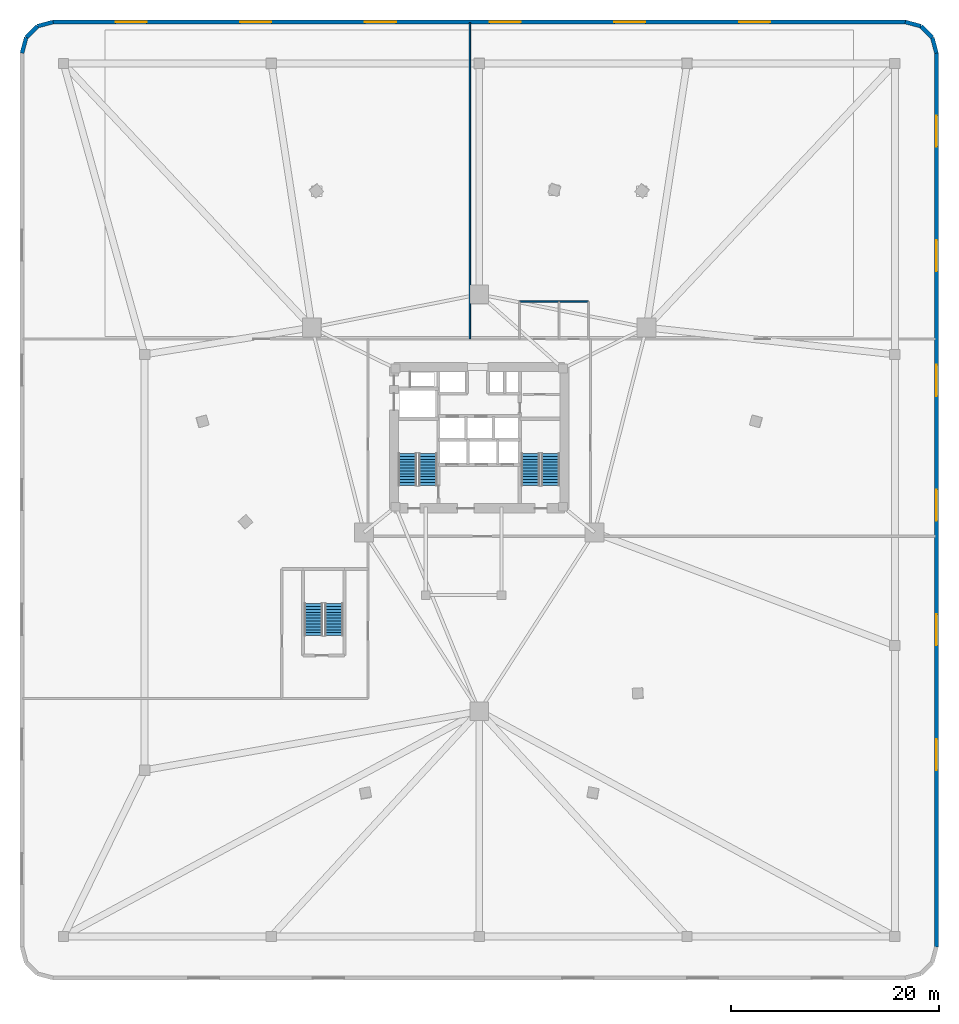
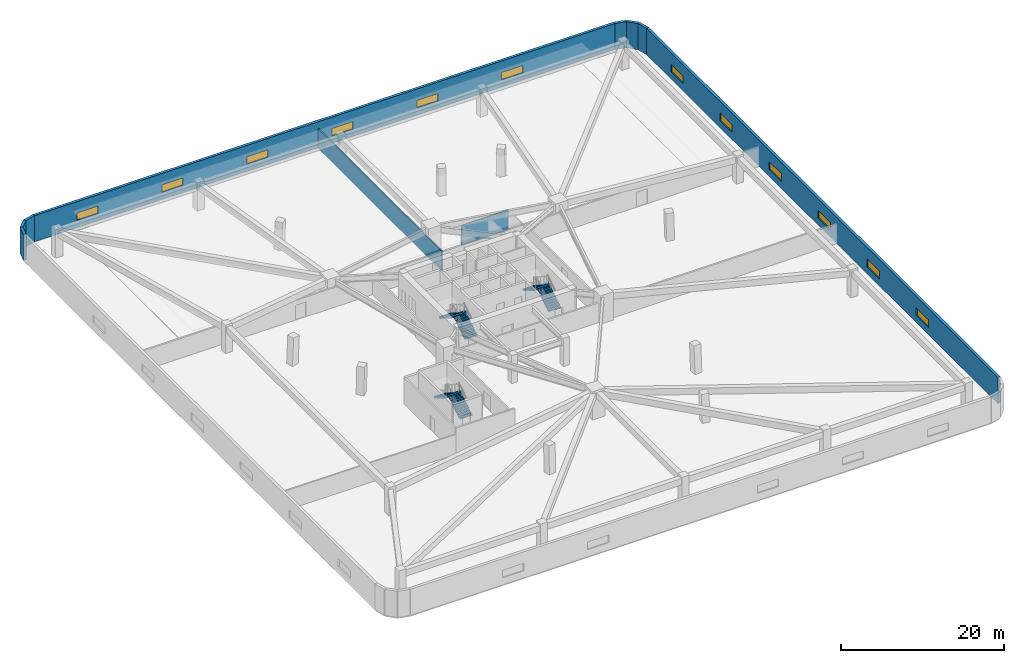
# One storey, part 8 of 10: 12 windows, 10 walls, 6 stair flights, 12 openings, 3 elements without a shape of their own.
"""IFC4 building model written with IfcOpenShell, lengths in metres."""

from ifc_helpers import new_model, si_unit, direction, frame, frame_2d, origin, place, context, subcontext, project, spatial, polyline, rectangle, outline, extrude, material, layer, layer_set, type_object, element, fill, aggregate, save


model = new_model("IFC4")

# Units and contexts
model_context = context("Model", 3, precision=1e-05, world=origin(), true_north=direction((0.0, 1.0)))
body_context = subcontext(model_context, "Body", "Model", "MODEL_VIEW")
ifc_project = project(units=[si_unit("LENGTHUNIT", "METRE"), si_unit("AREAUNIT", "SQUARE_METRE"), si_unit("VOLUMEUNIT", "CUBIC_METRE"), si_unit("PLANEANGLEUNIT", "RADIAN"), si_unit("MASSUNIT", "GRAM", prefix="KILO")], contexts=[model_context])

# Site, building, storey
site_placement = place(None, origin())
site = spatial("IfcSite", under=ifc_project, at=site_placement, CompositionType="ELEMENT")
building_placement = place(site_placement, origin())
building = spatial("IfcBuilding", under=site, at=building_placement, Name="Talyreon Biosciences Tower", CompositionType="ELEMENT")
storey_placement = place(building_placement, frame((0.0, 0.0, 14.39990234375)))
storey = spatial("IfcBuildingStorey", under=building, at=storey_placement, Name="L03", CompositionType="ELEMENT", Elevation=14.39990234375)

# Walls
ifc_material_1 = material(Name="Gypsum acoustic stud partition", Category="gypsum")
ifc_layer_1 = layer(ifc_material_1, 0.159912109375)
ifc_layer_set_1 = layer_set([ifc_layer_1], Name="Gypsum acoustic stud partition")
wall_type_1 = type_object("IfcWallType", Name="LabSeparationPartition_160", PredefinedType="PARTITIONING", material=ifc_layer_set_1)
wall_1_placement = place(storey_placement, frame((65.10009765625, 77.5, 0.0), z_axis=(0.0, 0.0, 1.0), x_axis=(0.0, 1.0, 0.0)))
element("IfcWall", 1, at=wall_1_placement, inside=storey, type_object=wall_type_1, Name="L03 Interior Wall IW-L03-NDIV", PredefinedType="PARTITIONING", context=body_context, shape_type="SweptSolid", body=[
    extrude(rectangle(XDim=30.4150390625, YDim=0.159912109375, at=frame_2d((15.20751953125, 0.0))), origin(), (0.0, 0.0, 1.0), 2.93017578125),
])
ifc_material_2 = material(Name="Precast concrete C45/55", Category="concrete")
ifc_layer_2 = layer(ifc_material_2, 0.3798828125)
ifc_layer_set_2 = layer_set([ifc_layer_2], Name="Precast concrete C45/55")
wall_type_2 = type_object("IfcWallType", Name="PrecastConcretePodiumWall_380", PredefinedType="STANDARD", material=ifc_layer_set_2)
for number, where, z_axis, x_axis, name in (
    (2, (22.0, 105.0, 0.0), (0.0, 0.0, 1.0), (0.258777996848, 0.965936824201, 0.0), "L03 Podium Concrete Frame Wall 06"),
    (3, (22.40185546875, 106.5, 0.0), (0.0, 0.0, 1.0), (0.707106781187, 0.707106781187, 0.0), "L03 Podium Concrete Frame Wall 07"),
    (4, (23.5, 107.59814453125, 0.0), (0.0, 0.0, 1.0), (0.965936824201, 0.258777996848, 0.0), "L03 Podium Concrete Frame Wall 08"),
):
    element("IfcWall", number, at=place(storey_placement, frame(where, z_axis=z_axis, x_axis=x_axis)), inside=storey, type_object=wall_type_2, Name=name, PredefinedType="STANDARD", context=body_context, shape_type="SweptSolid", body=[
        extrude(rectangle(XDim=1.552978515625, YDim=0.3798828125, at=frame_2d((0.7763671875, 0.0))), origin(), (0.0, 0.0, 1.0), 3.900146484375),
    ])

# Wall, openings, windows
wall_2_placement = place(storey_placement, frame((25.0, 108.0, 0.0), z_axis=(0.0, 0.0, 1.0), x_axis=(1.0, 0.0, 0.0)))
wall_2 = element("IfcWall", 5, at=wall_2_placement, inside=storey, type_object=wall_type_2, Name="L03 Podium Concrete Frame Wall 09", PredefinedType="STANDARD", context=body_context, shape_type="SweptSolid", body=[
    extrude(rectangle(XDim=82.0, YDim=0.3798828125, at=frame_2d((41.0, 0.0))), origin(), (0.0, 0.0, 1.0), 3.900146484375),
])
opening_1_placement = place(wall_2_placement, frame((6.0, 0.0, 1.050048828125)))
opening_1 = element("IfcOpeningElement", 6, at=opening_1_placement, cuts=wall_2, Name="Opening W03", PredefinedType="OPENING", context=body_context, shape_type="SweptSolid", body=[
    extrude(rectangle(XDim=3.0, YDim=1.14990234375, at=frame_2d((1.5, 0.574951171875))), frame((0.0, 0.199951171875, 0.0), z_axis=(0.0, -1.0, 0.0), x_axis=(1.0, 0.0, 0.0)), (0.0, 0.0, 1.0), 0.39990234375),
])
opening_2_placement = place(wall_2_placement, frame((18.0, 0.0, 1.050048828125)))
opening_2 = element("IfcOpeningElement", 7, at=opening_2_placement, cuts=wall_2, Name="Opening W03", PredefinedType="OPENING", context=body_context, shape_type="SweptSolid", body=[
    extrude(rectangle(XDim=3.0, YDim=1.14990234375, at=frame_2d((1.5, 0.574951171875))), frame((0.0, 0.199951171875, 0.0), z_axis=(0.0, -1.0, 0.0), x_axis=(1.0, 0.0, 0.0)), (0.0, 0.0, 1.0), 0.39990234375),
])
opening_3_placement = place(wall_2_placement, frame((30.0, 0.0, 1.050048828125)))
opening_3 = element("IfcOpeningElement", 8, at=opening_3_placement, cuts=wall_2, Name="Opening W03", PredefinedType="OPENING", context=body_context, shape_type="SweptSolid", body=[
    extrude(rectangle(XDim=3.0, YDim=1.14990234375, at=frame_2d((1.5, 0.574951171875))), frame((0.0, 0.199951171875, 0.0), z_axis=(0.0, -1.0, 0.0), x_axis=(1.0, 0.0, 0.0)), (0.0, 0.0, 1.0), 0.39990234375),
])
opening_4_placement = place(wall_2_placement, frame((42.0, 0.0, 1.050048828125)))
opening_4 = element("IfcOpeningElement", 9, at=opening_4_placement, cuts=wall_2, Name="Opening W03", PredefinedType="OPENING", context=body_context, shape_type="SweptSolid", body=[
    extrude(rectangle(XDim=3.0, YDim=1.14990234375, at=frame_2d((1.5, 0.574951171875))), frame((0.0, 0.199951171875, 0.0), z_axis=(0.0, -1.0, 0.0), x_axis=(1.0, 0.0, 0.0)), (0.0, 0.0, 1.0), 0.39990234375),
])
opening_5_placement = place(wall_2_placement, frame((54.0, 0.0, 1.050048828125)))
opening_5 = element("IfcOpeningElement", 10, at=opening_5_placement, cuts=wall_2, Name="Opening W03", PredefinedType="OPENING", context=body_context, shape_type="SweptSolid", body=[
    extrude(rectangle(XDim=3.0, YDim=1.14990234375, at=frame_2d((1.5, 0.574951171875))), frame((0.0, 0.199951171875, 0.0), z_axis=(0.0, -1.0, 0.0), x_axis=(1.0, 0.0, 0.0)), (0.0, 0.0, 1.0), 0.39990234375),
])
opening_6_placement = place(wall_2_placement, frame((66.0, 0.0, 1.050048828125)))
opening_6 = element("IfcOpeningElement", 11, at=opening_6_placement, cuts=wall_2, Name="Opening W03", PredefinedType="OPENING", context=body_context, shape_type="SweptSolid", body=[
    extrude(rectangle(XDim=3.0, YDim=1.14990234375, at=frame_2d((1.5, 0.574951171875))), frame((0.0, 0.199951171875, 0.0), z_axis=(0.0, -1.0, 0.0), x_axis=(1.0, 0.0, 0.0)), (0.0, 0.0, 1.0), 0.39990234375),
])
ifc_material_3 = material(Name="Thermally broken triple low-E aluminium window", Category="aluminium")
window_type = type_object("IfcWindowType", Name="PodiumClerestoryWindow_3000x1150", PartitioningType="TRIPLE_PANEL_VERTICAL", PredefinedType="WINDOW", material=ifc_material_3)
window_1_placement = place(opening_1_placement, origin())
window_1 = element("IfcWindow", 12, at=window_1_placement, inside=storey, type_object=window_type, Name="L03 Podium Facade Window 09.01", OverallHeight=1.14990234375, OverallWidth=3.0, PartitioningType="SINGLE_PANEL", PredefinedType="WINDOW", context=body_context, shape_type="SweptSolid", body=[
    extrude(rectangle(XDim=3.0, YDim=1.14990234375, at=frame_2d((1.5, 0.574951171875))), frame((0.0, 0.030029296875, 0.0), z_axis=(0.0, -1.0, 0.0), x_axis=(1.0, 0.0, 0.0)), (0.0, 0.0, 1.0), 0.06005859375),
])
fill(opening_1, window_1)
window_2_placement = place(opening_2_placement, origin())
window_2 = element("IfcWindow", 13, at=window_2_placement, inside=storey, type_object=window_type, Name="L03 Podium Facade Window 09.02", OverallHeight=1.14990234375, OverallWidth=3.0, PartitioningType="SINGLE_PANEL", PredefinedType="WINDOW", context=body_context, shape_type="SweptSolid", body=[
    extrude(rectangle(XDim=3.0, YDim=1.14990234375, at=frame_2d((1.5, 0.574951171875))), frame((0.0, 0.030029296875, 0.0), z_axis=(0.0, -1.0, 0.0), x_axis=(1.0, 0.0, 0.0)), (0.0, 0.0, 1.0), 0.06005859375),
])
fill(opening_2, window_2)
window_3_placement = place(opening_3_placement, origin())
window_3 = element("IfcWindow", 14, at=window_3_placement, inside=storey, type_object=window_type, Name="L03 Podium Facade Window 09.03", OverallHeight=1.14990234375, OverallWidth=3.0, PartitioningType="SINGLE_PANEL", PredefinedType="WINDOW", context=body_context, shape_type="SweptSolid", body=[
    extrude(rectangle(XDim=3.0, YDim=1.14990234375, at=frame_2d((1.5, 0.574951171875))), frame((0.0, 0.030029296875, 0.0), z_axis=(0.0, -1.0, 0.0), x_axis=(1.0, 0.0, 0.0)), (0.0, 0.0, 1.0), 0.06005859375),
])
fill(opening_3, window_3)
window_4_placement = place(opening_4_placement, origin())
window_4 = element("IfcWindow", 15, at=window_4_placement, inside=storey, type_object=window_type, Name="L03 Podium Facade Window 09.04", OverallHeight=1.14990234375, OverallWidth=3.0, PartitioningType="SINGLE_PANEL", PredefinedType="WINDOW", context=body_context, shape_type="SweptSolid", body=[
    extrude(rectangle(XDim=3.0, YDim=1.14990234375, at=frame_2d((1.5, 0.574951171875))), frame((0.0, 0.030029296875, 0.0), z_axis=(0.0, -1.0, 0.0), x_axis=(1.0, 0.0, 0.0)), (0.0, 0.0, 1.0), 0.06005859375),
])
fill(opening_4, window_4)
window_5_placement = place(opening_5_placement, origin())
window_5 = element("IfcWindow", 16, at=window_5_placement, inside=storey, type_object=window_type, Name="L03 Podium Facade Window 09.05", OverallHeight=1.14990234375, OverallWidth=3.0, PartitioningType="SINGLE_PANEL", PredefinedType="WINDOW", context=body_context, shape_type="SweptSolid", body=[
    extrude(rectangle(XDim=3.0, YDim=1.14990234375, at=frame_2d((1.5, 0.574951171875))), frame((0.0, 0.030029296875, 0.0), z_axis=(0.0, -1.0, 0.0), x_axis=(1.0, 0.0, 0.0)), (0.0, 0.0, 1.0), 0.06005859375),
])
fill(opening_5, window_5)
window_6_placement = place(opening_6_placement, origin())
window_6 = element("IfcWindow", 17, at=window_6_placement, inside=storey, type_object=window_type, Name="L03 Podium Facade Window 09.06", OverallHeight=1.14990234375, OverallWidth=3.0, PartitioningType="SINGLE_PANEL", PredefinedType="WINDOW", context=body_context, shape_type="SweptSolid", body=[
    extrude(rectangle(XDim=3.0, YDim=1.14990234375, at=frame_2d((1.5, 0.574951171875))), frame((0.0, 0.030029296875, 0.0), z_axis=(0.0, -1.0, 0.0), x_axis=(1.0, 0.0, 0.0)), (0.0, 0.0, 1.0), 0.06005859375),
])
fill(opening_6, window_6)

# Walls
for number, where, z_axis, x_axis, name in (
    (18, (107.0, 108.0, 0.0), (0.0, 0.0, 1.0), (0.965936824201, -0.258777996848, 0.0), "L03 Podium Concrete Frame Wall 10"),
    (19, (108.5, 107.59814453125, 0.0), (0.0, 0.0, 1.0), (0.707106781187, -0.707106781187, 0.0), "L03 Podium Concrete Frame Wall 11"),
    (20, (109.59814453125, 106.5, 0.0), (0.0, 0.0, 1.0), (0.258777996848, -0.965936824201, 0.0), "L03 Podium Concrete Frame Wall 12"),
):
    element("IfcWall", number, at=place(storey_placement, frame(where, z_axis=z_axis, x_axis=x_axis)), inside=storey, type_object=wall_type_2, Name=name, PredefinedType="STANDARD", context=body_context, shape_type="SweptSolid", body=[
        extrude(rectangle(XDim=1.552978515625, YDim=0.3798828125, at=frame_2d((0.7763671875, 0.0))), origin(), (0.0, 0.0, 1.0), 3.900146484375),
    ])

# Wall, openings, windows
wall_3_placement = place(storey_placement, frame((110.0, 105.0, 0.0), z_axis=(0.0, 0.0, 1.0), x_axis=(0.0, -1.0, 0.0)))
wall_3 = element("IfcWall", 21, at=wall_3_placement, inside=storey, type_object=wall_type_2, Name="L03 Podium Concrete Frame Wall 13", PredefinedType="STANDARD", context=body_context, shape_type="SweptSolid", body=[
    extrude(rectangle(XDim=86.0, YDim=0.3798828125, at=frame_2d((43.0, 0.0))), origin(), (0.0, 0.0, 1.0), 3.900146484375),
])
opening_7_placement = place(wall_3_placement, frame((6.0, 0.0, 1.050048828125)))
opening_7 = element("IfcOpeningElement", 22, at=opening_7_placement, cuts=wall_3, Name="Opening W03", PredefinedType="OPENING", context=body_context, shape_type="SweptSolid", body=[
    extrude(rectangle(XDim=3.0, YDim=1.14990234375, at=frame_2d((1.5, 0.574951171875))), frame((0.0, 0.199951171875, 0.0), z_axis=(0.0, -1.0, 0.0), x_axis=(1.0, 0.0, 0.0)), (0.0, 0.0, 1.0), 0.39990234375),
])
opening_8_placement = place(wall_3_placement, frame((18.0, 0.0, 1.050048828125)))
opening_8 = element("IfcOpeningElement", 23, at=opening_8_placement, cuts=wall_3, Name="Opening W03", PredefinedType="OPENING", context=body_context, shape_type="SweptSolid", body=[
    extrude(rectangle(XDim=3.0, YDim=1.14990234375, at=frame_2d((1.5, 0.574951171875))), frame((0.0, 0.199951171875, 0.0), z_axis=(0.0, -1.0, 0.0), x_axis=(1.0, 0.0, 0.0)), (0.0, 0.0, 1.0), 0.39990234375),
])
opening_9_placement = place(wall_3_placement, frame((30.0, 0.0, 1.050048828125)))
opening_9 = element("IfcOpeningElement", 24, at=opening_9_placement, cuts=wall_3, Name="Opening W03", PredefinedType="OPENING", context=body_context, shape_type="SweptSolid", body=[
    extrude(rectangle(XDim=3.0, YDim=1.14990234375, at=frame_2d((1.5, 0.574951171875))), frame((0.0, 0.199951171875, 0.0), z_axis=(0.0, -1.0, 0.0), x_axis=(1.0, 0.0, 0.0)), (0.0, 0.0, 1.0), 0.39990234375),
])
opening_10_placement = place(wall_3_placement, frame((42.0, 0.0, 1.050048828125)))
opening_10 = element("IfcOpeningElement", 25, at=opening_10_placement, cuts=wall_3, Name="Opening W03", PredefinedType="OPENING", context=body_context, shape_type="SweptSolid", body=[
    extrude(rectangle(XDim=3.0, YDim=1.14990234375, at=frame_2d((1.5, 0.574951171875))), frame((0.0, 0.199951171875, 0.0), z_axis=(0.0, -1.0, 0.0), x_axis=(1.0, 0.0, 0.0)), (0.0, 0.0, 1.0), 0.39990234375),
])
opening_11_placement = place(wall_3_placement, frame((54.0, 0.0, 1.050048828125)))
opening_11 = element("IfcOpeningElement", 26, at=opening_11_placement, cuts=wall_3, Name="Opening W03", PredefinedType="OPENING", context=body_context, shape_type="SweptSolid", body=[
    extrude(rectangle(XDim=3.0, YDim=1.14990234375, at=frame_2d((1.5, 0.574951171875))), frame((0.0, 0.199951171875, 0.0), z_axis=(0.0, -1.0, 0.0), x_axis=(1.0, 0.0, 0.0)), (0.0, 0.0, 1.0), 0.39990234375),
])
opening_12_placement = place(wall_3_placement, frame((66.0, 0.0, 1.050048828125)))
opening_12 = element("IfcOpeningElement", 27, at=opening_12_placement, cuts=wall_3, Name="Opening W03", PredefinedType="OPENING", context=body_context, shape_type="SweptSolid", body=[
    extrude(rectangle(XDim=3.0, YDim=1.14990234375, at=frame_2d((1.5, 0.574951171875))), frame((0.0, 0.199951171875, 0.0), z_axis=(0.0, -1.0, 0.0), x_axis=(1.0, 0.0, 0.0)), (0.0, 0.0, 1.0), 0.39990234375),
])
window_7_placement = place(opening_7_placement, origin())
window_7 = element("IfcWindow", 28, at=window_7_placement, inside=storey, type_object=window_type, Name="L03 Podium Facade Window 13.01", OverallHeight=1.14990234375, OverallWidth=3.0, PartitioningType="SINGLE_PANEL", PredefinedType="WINDOW", context=body_context, shape_type="SweptSolid", body=[
    extrude(rectangle(XDim=3.0, YDim=1.14990234375, at=frame_2d((1.5, 0.574951171875))), frame((0.0, 0.030029296875, 0.0), z_axis=(0.0, -1.0, 0.0), x_axis=(1.0, 0.0, 0.0)), (0.0, 0.0, 1.0), 0.06005859375),
])
fill(opening_7, window_7)
window_8_placement = place(opening_8_placement, origin())
window_8 = element("IfcWindow", 29, at=window_8_placement, inside=storey, type_object=window_type, Name="L03 Podium Facade Window 13.02", OverallHeight=1.14990234375, OverallWidth=3.0, PartitioningType="SINGLE_PANEL", PredefinedType="WINDOW", context=body_context, shape_type="SweptSolid", body=[
    extrude(rectangle(XDim=3.0, YDim=1.14990234375, at=frame_2d((1.5, 0.574951171875))), frame((0.0, 0.030029296875, 0.0), z_axis=(0.0, -1.0, 0.0), x_axis=(1.0, 0.0, 0.0)), (0.0, 0.0, 1.0), 0.06005859375),
])
fill(opening_8, window_8)
window_9_placement = place(opening_9_placement, origin())
window_9 = element("IfcWindow", 30, at=window_9_placement, inside=storey, type_object=window_type, Name="L03 Podium Facade Window 13.03", OverallHeight=1.14990234375, OverallWidth=3.0, PartitioningType="SINGLE_PANEL", PredefinedType="WINDOW", context=body_context, shape_type="SweptSolid", body=[
    extrude(rectangle(XDim=3.0, YDim=1.14990234375, at=frame_2d((1.5, 0.574951171875))), frame((0.0, 0.030029296875, 0.0), z_axis=(0.0, -1.0, 0.0), x_axis=(1.0, 0.0, 0.0)), (0.0, 0.0, 1.0), 0.06005859375),
])
fill(opening_9, window_9)
window_10_placement = place(opening_10_placement, origin())
window_10 = element("IfcWindow", 31, at=window_10_placement, inside=storey, type_object=window_type, Name="L03 Podium Facade Window 13.04", OverallHeight=1.14990234375, OverallWidth=3.0, PartitioningType="SINGLE_PANEL", PredefinedType="WINDOW", context=body_context, shape_type="SweptSolid", body=[
    extrude(rectangle(XDim=3.0, YDim=1.14990234375, at=frame_2d((1.5, 0.574951171875))), frame((0.0, 0.030029296875, 0.0), z_axis=(0.0, -1.0, 0.0), x_axis=(1.0, 0.0, 0.0)), (0.0, 0.0, 1.0), 0.06005859375),
])
fill(opening_10, window_10)
window_11_placement = place(opening_11_placement, origin())
window_11 = element("IfcWindow", 32, at=window_11_placement, inside=storey, type_object=window_type, Name="L03 Podium Facade Window 13.05", OverallHeight=1.14990234375, OverallWidth=3.0, PartitioningType="SINGLE_PANEL", PredefinedType="WINDOW", context=body_context, shape_type="SweptSolid", body=[
    extrude(rectangle(XDim=3.0, YDim=1.14990234375, at=frame_2d((1.5, 0.574951171875))), frame((0.0, 0.030029296875, 0.0), z_axis=(0.0, -1.0, 0.0), x_axis=(1.0, 0.0, 0.0)), (0.0, 0.0, 1.0), 0.06005859375),
])
fill(opening_11, window_11)
window_12_placement = place(opening_12_placement, origin())
window_12 = element("IfcWindow", 33, at=window_12_placement, inside=storey, type_object=window_type, Name="L03 Podium Facade Window 13.06", OverallHeight=1.14990234375, OverallWidth=3.0, PartitioningType="SINGLE_PANEL", PredefinedType="WINDOW", context=body_context, shape_type="SweptSolid", body=[
    extrude(rectangle(XDim=3.0, YDim=1.14990234375, at=frame_2d((1.5, 0.574951171875))), frame((0.0, 0.030029296875, 0.0), z_axis=(0.0, -1.0, 0.0), x_axis=(1.0, 0.0, 0.0)), (0.0, 0.0, 1.0), 0.06005859375),
])
fill(opening_12, window_12)

# Wall
ifc_material_4 = material(Name="Moisture-resistant cement-board stud", Category="gypsum")
ifc_layer_3 = layer(ifc_material_4, 0.14501953125)
ifc_layer_set_3 = layer_set([ifc_layer_3], Name="Moisture-resistant cement-board stud")
wall_type_3 = type_object("IfcWallType", Name="WetRoomPartition_145", PredefinedType="PARTITIONING", material=ifc_layer_set_3)
wall_4_placement = place(storey_placement, frame((69.89990234375, 81.10009765625, 0.0), z_axis=(0.0, 0.0, 1.0), x_axis=(1.0, 0.0, 0.0)))
element("IfcWall", 34, at=wall_4_placement, inside=storey, type_object=wall_type_3, Name="L03 Interior Wall IW-L03-WCT", PredefinedType="PARTITIONING", context=body_context, shape_type="SweptSolid", body=[
    extrude(rectangle(XDim=6.60009765625, YDim=0.14501953125, at=frame_2d((3.300048828125, 0.0))), origin(), (0.0, 0.0, 1.0), 2.97998046875),
])

# Stair, stair flights
ifc_material_5 = material(Name="Concrete C40/50", Category="concrete")
stair_type = type_object("IfcStairType", Name="DoglegEscapeStair_4200", PredefinedType="HALF_TURN_STAIR", material=ifc_material_5)
stair_1_placement = place(storey_placement, origin())
stair_1 = element("IfcStair", 35, at=stair_1_placement, inside=storey, type_object=stair_type, Name="L03 Core Escape Stair 1", PredefinedType="HALF_TURN_STAIR")
stair_flight_type = type_object("IfcStairFlightType", Name="PrecastStairFlight_4200", PredefinedType="STRAIGHT", material=ifc_material_5)
stair_flight_1_placement = place(storey_placement, frame((61.06005859375, 63.39990234375, 0.0), z_axis=(0.0, 0.0, 1.0), x_axis=(0.0, 1.0, 0.0)))
stair_flight_1 = element("IfcStairFlight", 36, at=stair_flight_1_placement, type_object=stair_flight_type, Name="ST-1 flight 1", NumberOfRisers=12, NumberOfTreads=11, PredefinedType="STRAIGHT", RiserHeight=0.175, TreadLength=0.28, context=body_context, shape_type="SweptSolid", body=[
    extrude(outline(polyline([(0.0, 0.0), (0.0, 0.175048828125), (0.280029296875, 0.175048828125), (0.280029296875, 0.35009765625), (0.56005859375, 0.35009765625), (0.56005859375, 0.52490234375), (0.840087890625, 0.52490234375), (0.840087890625, 0.699951171875), (1.1201171875, 0.699951171875), (1.1201171875, 0.875), (1.39990234375, 0.875), (1.39990234375, 1.050048828125), (1.679931640625, 1.050048828125), (1.679931640625, 1.22509765625), (1.9599609375, 1.22509765625), (1.9599609375, 1.39990234375), (2.239990234375, 1.39990234375), (2.239990234375, 1.574951171875), (2.52001953125, 1.574951171875), (2.52001953125, 1.75), (2.800048828125, 1.75), (2.800048828125, 1.925048828125), (3.080078125, 1.925048828125), (3.080078125, 2.10009765625), (3.080078125, 1.748291015625), (0.28271484375, 0.0), (0.0, 0.0)])), frame((0.0, 0.8701171875, 0.0), z_axis=(0.0, -1.0, 0.0), x_axis=(1.0, 0.0, 0.0)), (0.0, 0.0, 1.0), 1.739990234375),
])
stair_flight_2_placement = place(storey_placement, frame((59.1201171875, 66.47998046875, 2.10009765625), z_axis=(0.0, 0.0, 1.0), x_axis=(0.0, -1.0, 0.0)))
stair_flight_2 = element("IfcStairFlight", 37, at=stair_flight_2_placement, type_object=stair_flight_type, Name="ST-1 flight 2", NumberOfRisers=12, NumberOfTreads=11, PredefinedType="STRAIGHT", RiserHeight=0.175, TreadLength=0.28, context=body_context, shape_type="SweptSolid", body=[
    extrude(outline(polyline([(0.0, 0.0), (0.0, 0.175048828125), (0.280029296875, 0.175048828125), (0.280029296875, 0.35009765625), (0.56005859375, 0.35009765625), (0.56005859375, 0.52490234375), (0.840087890625, 0.52490234375), (0.840087890625, 0.699951171875), (1.1201171875, 0.699951171875), (1.1201171875, 0.875), (1.39990234375, 0.875), (1.39990234375, 1.050048828125), (1.679931640625, 1.050048828125), (1.679931640625, 1.22509765625), (1.9599609375, 1.22509765625), (1.9599609375, 1.39990234375), (2.239990234375, 1.39990234375), (2.239990234375, 1.574951171875), (2.52001953125, 1.574951171875), (2.52001953125, 1.75), (2.800048828125, 1.75), (2.800048828125, 1.925048828125), (3.080078125, 1.925048828125), (3.080078125, 2.10009765625), (3.080078125, 1.748291015625), (0.28271484375, 0.0), (0.0, 0.0)])), frame((0.0, 0.8701171875, 0.0), z_axis=(0.0, -1.0, 0.0), x_axis=(1.0, 0.0, 0.0)), (0.0, 0.0, 1.0), 1.739990234375),
])
aggregate(stair_1, [stair_flight_1, stair_flight_2])

stair_2_placement = place(storey_placement, origin())
stair_2 = element("IfcStair", 38, at=stair_2_placement, inside=storey, type_object=stair_type, Name="L03 Core Escape Stair 2", PredefinedType="HALF_TURN_STAIR")
stair_flight_3_placement = place(storey_placement, frame((72.8798828125, 63.39990234375, 0.0), z_axis=(0.0, 0.0, 1.0), x_axis=(0.0, 1.0, 0.0)))
stair_flight_3 = element("IfcStairFlight", 39, at=stair_flight_3_placement, type_object=stair_flight_type, Name="ST-2 flight 1", NumberOfRisers=12, NumberOfTreads=11, PredefinedType="STRAIGHT", RiserHeight=0.175, TreadLength=0.28, context=body_context, shape_type="SweptSolid", body=[
    extrude(outline(polyline([(0.0, 0.0), (0.0, 0.175048828125), (0.280029296875, 0.175048828125), (0.280029296875, 0.35009765625), (0.56005859375, 0.35009765625), (0.56005859375, 0.52490234375), (0.840087890625, 0.52490234375), (0.840087890625, 0.699951171875), (1.1201171875, 0.699951171875), (1.1201171875, 0.875), (1.39990234375, 0.875), (1.39990234375, 1.050048828125), (1.679931640625, 1.050048828125), (1.679931640625, 1.22509765625), (1.9599609375, 1.22509765625), (1.9599609375, 1.39990234375), (2.239990234375, 1.39990234375), (2.239990234375, 1.574951171875), (2.52001953125, 1.574951171875), (2.52001953125, 1.75), (2.800048828125, 1.75), (2.800048828125, 1.925048828125), (3.080078125, 1.925048828125), (3.080078125, 2.10009765625), (3.080078125, 1.748291015625), (0.28271484375, 0.0), (0.0, 0.0)])), frame((0.0, 0.8701171875, 0.0), z_axis=(0.0, -1.0, 0.0), x_axis=(1.0, 0.0, 0.0)), (0.0, 0.0, 1.0), 1.739990234375),
])
stair_flight_4_placement = place(storey_placement, frame((70.93994140625, 66.47998046875, 2.10009765625), z_axis=(0.0, 0.0, 1.0), x_axis=(0.0, -1.0, 0.0)))
stair_flight_4 = element("IfcStairFlight", 40, at=stair_flight_4_placement, type_object=stair_flight_type, Name="ST-2 flight 2", NumberOfRisers=12, NumberOfTreads=11, PredefinedType="STRAIGHT", RiserHeight=0.175, TreadLength=0.28, context=body_context, shape_type="SweptSolid", body=[
    extrude(outline(polyline([(0.0, 0.0), (0.0, 0.175048828125), (0.280029296875, 0.175048828125), (0.280029296875, 0.35009765625), (0.56005859375, 0.35009765625), (0.56005859375, 0.52490234375), (0.840087890625, 0.52490234375), (0.840087890625, 0.699951171875), (1.1201171875, 0.699951171875), (1.1201171875, 0.875), (1.39990234375, 0.875), (1.39990234375, 1.050048828125), (1.679931640625, 1.050048828125), (1.679931640625, 1.22509765625), (1.9599609375, 1.22509765625), (1.9599609375, 1.39990234375), (2.239990234375, 1.39990234375), (2.239990234375, 1.574951171875), (2.52001953125, 1.574951171875), (2.52001953125, 1.75), (2.800048828125, 1.75), (2.800048828125, 1.925048828125), (3.080078125, 1.925048828125), (3.080078125, 2.10009765625), (3.080078125, 1.748291015625), (0.28271484375, 0.0), (0.0, 0.0)])), frame((0.0, 0.8701171875, 0.0), z_axis=(0.0, -1.0, 0.0), x_axis=(1.0, 0.0, 0.0)), (0.0, 0.0, 1.0), 1.739990234375),
])
aggregate(stair_2, [stair_flight_3, stair_flight_4])

stair_3_placement = place(storey_placement, origin())
stair_3 = element("IfcStair", 41, at=stair_3_placement, inside=storey, type_object=stair_type, Name="L03 Podium Escape Stair 3", PredefinedType="HALF_TURN_STAIR")
stair_flight_5_placement = place(storey_placement, frame((52.010009765625, 48.949951171875, 0.0), z_axis=(0.0, 0.0, 1.0), x_axis=(0.0, 1.0, 0.0)))
stair_flight_5 = element("IfcStairFlight", 42, at=stair_flight_5_placement, type_object=stair_flight_type, Name="ST-3 flight 1", NumberOfRisers=12, NumberOfTreads=11, PredefinedType="STRAIGHT", RiserHeight=0.175, TreadLength=0.28, context=body_context, shape_type="SweptSolid", body=[
    extrude(outline(polyline([(0.0, 0.0), (0.0, 0.175048828125), (0.280029296875, 0.175048828125), (0.280029296875, 0.35009765625), (0.56005859375, 0.35009765625), (0.56005859375, 0.52490234375), (0.840087890625, 0.52490234375), (0.840087890625, 0.699951171875), (1.1201171875, 0.699951171875), (1.1201171875, 0.875), (1.39990234375, 0.875), (1.39990234375, 1.050048828125), (1.679931640625, 1.050048828125), (1.679931640625, 1.22509765625), (1.9599609375, 1.22509765625), (1.9599609375, 1.39990234375), (2.239990234375, 1.39990234375), (2.239990234375, 1.574951171875), (2.52001953125, 1.574951171875), (2.52001953125, 1.75), (2.800048828125, 1.75), (2.800048828125, 1.925048828125), (3.080078125, 1.925048828125), (3.080078125, 2.10009765625), (3.080078125, 1.748291015625), (0.28271484375, 0.0), (0.0, 0.0)])), frame((0.0, 0.8701171875, 0.0), z_axis=(0.0, -1.0, 0.0), x_axis=(1.0, 0.0, 0.0)), (0.0, 0.0, 1.0), 1.739990234375),
])
stair_flight_6_placement = place(storey_placement, frame((50.070068359375, 52.030029296875, 2.10009765625), z_axis=(0.0, 0.0, 1.0), x_axis=(0.0, -1.0, 0.0)))
stair_flight_6 = element("IfcStairFlight", 43, at=stair_flight_6_placement, type_object=stair_flight_type, Name="ST-3 flight 2", NumberOfRisers=12, NumberOfTreads=11, PredefinedType="STRAIGHT", RiserHeight=0.175, TreadLength=0.28, context=body_context, shape_type="SweptSolid", body=[
    extrude(outline(polyline([(0.0, 0.0), (0.0, 0.175048828125), (0.280029296875, 0.175048828125), (0.280029296875, 0.35009765625), (0.56005859375, 0.35009765625), (0.56005859375, 0.52490234375), (0.840087890625, 0.52490234375), (0.840087890625, 0.699951171875), (1.1201171875, 0.699951171875), (1.1201171875, 0.875), (1.39990234375, 0.875), (1.39990234375, 1.050048828125), (1.679931640625, 1.050048828125), (1.679931640625, 1.22509765625), (1.9599609375, 1.22509765625), (1.9599609375, 1.39990234375), (2.239990234375, 1.39990234375), (2.239990234375, 1.574951171875), (2.52001953125, 1.574951171875), (2.52001953125, 1.75), (2.800048828125, 1.75), (2.800048828125, 1.925048828125), (3.080078125, 1.925048828125), (3.080078125, 2.10009765625), (3.080078125, 1.748291015625), (0.28271484375, 0.0), (0.0, 0.0)])), frame((0.0, 0.8701171875, 0.0), z_axis=(0.0, -1.0, 0.0), x_axis=(1.0, 0.0, 0.0)), (0.0, 0.0, 1.0), 1.739990234375),
])
aggregate(stair_3, [stair_flight_5, stair_flight_6])

save(model, "model.ifc")
